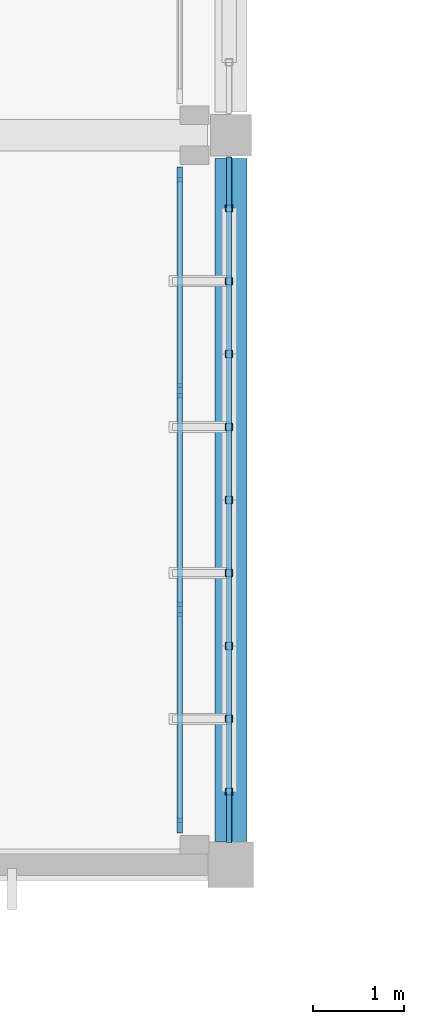
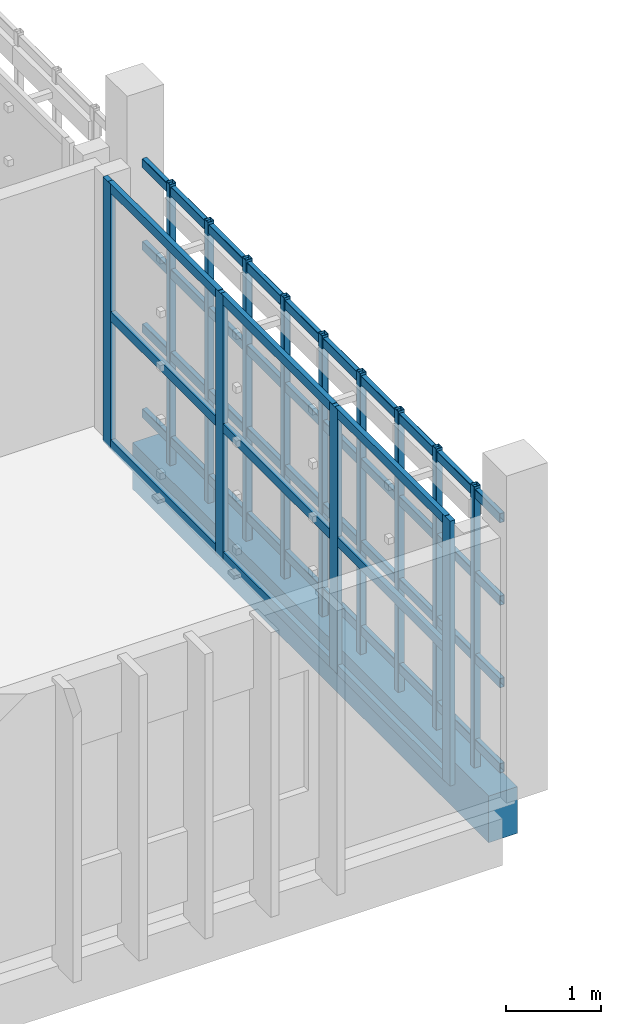
# One storey, part 8 of 48: 26 members, 1 beam, 1 element without a shape of its own.
"""IFC4 building model written with IfcOpenShell, lengths in metres."""

from ifc_helpers import new_model, si_unit, direction, frame, origin, origin_2d, place, context, subcontext, project, spatial, rectangle, hollow_rectangle, extrude, material, layer, layer_set, material_profile, profile_set, type_object, element, aggregate, save


model = new_model("IFC4")

# Units and contexts
model_context = context("Model", 3, precision=1e-05, world=origin(), true_north=direction((0.0, 1.0)))
body_context = subcontext(model_context, "Body", "Model", "MODEL_VIEW")
ifc_project = project(units=[si_unit("LENGTHUNIT", "METRE"), si_unit("AREAUNIT", "SQUARE_METRE"), si_unit("VOLUMEUNIT", "CUBIC_METRE"), si_unit("PLANEANGLEUNIT", "RADIAN"), si_unit("MASSUNIT", "GRAM", prefix="KILO")], contexts=[model_context])

# Site, building, storey
site_placement = place(None, origin())
site = spatial("IfcSite", under=ifc_project, at=site_placement, CompositionType="ELEMENT")
building_placement = place(site_placement, origin())
building = spatial("IfcBuilding", under=site, at=building_placement, Name="Jelvoka-Kovrelna Polytechnic", CompositionType="ELEMENT")
storey_placement = place(building_placement, frame((0.0, 0.0, 22.199951171875)))
storey = spatial("IfcBuildingStorey", under=building, at=storey_placement, Name="L06", CompositionType="ELEMENT", Elevation=22.199951171875)

# Beam
ifc_material_1 = material(Name="Concrete C35/45", Category="concrete")
ifc_material_profile_1 = material_profile(ifc_material_1, rectangle(XDim=0.35009765625, YDim=0.60009765625, at=origin_2d()), Name="RC 350x600")
ifc_profile_set_1 = profile_set([ifc_material_profile_1], Name="Concrete C35/45")
beam_type = type_object("IfcBeamType", Name="Beam_RC_350x600", PredefinedType="BEAM", material=ifc_profile_set_1)
beam_placement = place(storey_placement, frame((112.0, 32.2548828125, -0.5400390625), z_axis=(0.0, 1.0, 0.0), x_axis=(-1.0, 0.0, 0.0)))
element("IfcBeam", 1, at=beam_placement, inside=storey, type_object=beam_type, Name="L06 beam 1650", PredefinedType="BEAM", context=body_context, shape_type="SweptSolid", body=[
    extrude(rectangle(XDim=0.35009765625, YDim=0.60009765625, at=origin_2d()), origin(), (0.0, 0.0, 1.0), 7.490234375),
])

# Members
ifc_material_2 = material(Name="Structural steel S355J2H", Category="steel")
ifc_material_profile_2 = material_profile(ifc_material_2, hollow_rectangle(XDim=0.06005859375, YDim=0.1201171875, WallThickness=0.0048828125, InnerFilletRadius=0.0048828125, OuterFilletRadius=0.007568359375, at=origin_2d()), Name="120x60x5.0 RHS")
ifc_profile_set_2 = profile_set([ifc_material_profile_2], Name="Structural steel S355J2H")
member_type_1 = type_object("IfcMemberType", Name="Member_Strut_RHS120", PredefinedType="STRUT", material=ifc_profile_set_2)
for number, where, z_axis, x_axis, name in (
    (2, (111.97998046875, 32.239990234375, 0.080078125), (0.0, 1.0, 0.0), (-1.0, 0.0, 0.0), "L06 terracotta screen horizontal strut 0248"),
    (3, (111.97998046875, 32.239990234375, 1.17138671875), (0.0, 1.0, 0.0), (-1.0, 0.0, 0.0), "L06 terracotta screen horizontal strut 0249"),
    (4, (111.97998046875, 32.239990234375, 2.230712890625), (0.0, 1.0, 0.0), (-1.0, 0.0, 0.0), "L06 terracotta screen horizontal strut 0250"),
    (5, (111.97998046875, 32.239990234375, 3.2900390625), (0.0, 1.0, 0.0), (-1.0, 0.0, 0.0), "L06 terracotta screen horizontal strut 0251"),
):
    element("IfcMember", number, at=place(storey_placement, frame(where, z_axis=z_axis, x_axis=x_axis)), inside=storey, type_object=member_type_1, Name=name, PredefinedType="STRUT", context=body_context, shape_type="SweptSolid", body=[
        extrude(hollow_rectangle(XDim=0.06005859375, YDim=0.1201171875, WallThickness=0.0048828125, InnerFilletRadius=0.0048828125, OuterFilletRadius=0.007568359375, at=origin_2d()), origin(), (0.0, 0.0, 1.0), 7.52001953125),
    ])
ifc_material_3 = material(Name="Structural steel S355J2H", Category="steel")
ifc_material_profile_3 = material_profile(ifc_material_3, hollow_rectangle(XDim=0.080078125, YDim=0.080078125, WallThickness=0.0048828125, InnerFilletRadius=0.0048828125, OuterFilletRadius=0.007568359375, at=origin_2d()), Name="80x80x5.0 SHS")
ifc_profile_set_3 = profile_set([ifc_material_profile_3], Name="Structural steel S355J2H")
member_type_2 = type_object("IfcMemberType", Name="Member_Strut_SHS80", PredefinedType="STRUT", material=ifc_profile_set_3)
for number, where, z_axis, x_axis, name in (
    (6, (111.97998046875, 32.800048828125, -0.22998046875), (0.0, 0.0, 1.0), (1.0, 0.0, 0.0), "L06 terracotta lattice vertical rib 0252"),
    (7, (111.97998046875, 33.60009765625, -0.22998046875), (0.0, 0.0, 1.0), (1.0, 0.0, 0.0), "L06 terracotta lattice vertical rib 0253"),
    (8, (111.97998046875, 34.39990234375, -0.22998046875), (0.0, 0.0, 1.0), (1.0, 0.0, 0.0), "L06 terracotta lattice vertical rib 0254"),
    (9, (111.97998046875, 35.199951171875, -0.22998046875), (0.0, 0.0, 1.0), (1.0, 0.0, 0.0), "L06 terracotta lattice vertical rib 0255"),
    (10, (111.97998046875, 36.0, -0.22998046875), (0.0, 0.0, 1.0), (1.0, 0.0, 0.0), "L06 terracotta lattice vertical rib 0256"),
    (11, (111.97998046875, 36.800048828125, -0.22998046875), (0.0, 0.0, 1.0), (1.0, 0.0, 0.0), "L06 terracotta lattice vertical rib 0257"),
    (12, (111.97998046875, 37.60009765625, -0.22998046875), (0.0, 0.0, 1.0), (1.0, 0.0, 0.0), "L06 terracotta lattice vertical rib 0258"),
    (13, (111.97998046875, 38.39990234375, -0.22998046875), (0.0, 0.0, 1.0), (1.0, 0.0, 0.0), "L06 terracotta lattice vertical rib 0259"),
    (14, (111.97998046875, 39.199951171875, -0.22998046875), (0.0, 0.0, 1.0), (1.0, 0.0, 0.0), "L06 terracotta lattice vertical rib 0260"),
):
    element("IfcMember", number, at=place(storey_placement, frame(where, z_axis=z_axis, x_axis=x_axis)), inside=storey, type_object=member_type_2, Name=name, PredefinedType="STRUT", context=body_context, shape_type="SweptSolid", body=[
        extrude(hollow_rectangle(XDim=0.080078125, YDim=0.080078125, WallThickness=0.0048828125, InnerFilletRadius=0.0048828125, OuterFilletRadius=0.007568359375, at=origin_2d()), origin(), (0.0, 0.0, 1.0), 3.610107421875),
    ])

# Curtain wall, members
ifc_material_4 = material(Name="Anodised aluminium 6063-T6", Category="aluminium")
ifc_layer = layer(ifc_material_4, 0.159912109375)
ifc_layer_set = layer_set([ifc_layer], Name="Anodised aluminium 6063-T6")
curtain_wall_type = type_object("IfcCurtainWallType", Name="CW_Recessed_A", PredefinedType="NOTDEFINED", material=ifc_layer_set)
curtain_wall_placement = place(storey_placement, origin())
curtain_wall = element("IfcCurtainWall", 15, at=curtain_wall_placement, inside=storey, type_object=curtain_wall_type, Name="L06 glazed curtain wall 036", PredefinedType="NOTDEFINED")
ifc_material_5 = material(Name="Anodised aluminium 6063-T6", Category="aluminium")
ifc_material_profile_4 = material_profile(ifc_material_5, rectangle(XDim=0.06005859375, YDim=0.159912109375, at=origin_2d()), Name="ALU 60x160")
ifc_profile_set_4 = profile_set([ifc_material_profile_4], Name="Anodised aluminium 6063-T6")
member_type_3 = type_object("IfcMemberType", Name="Mullion_M-01", PredefinedType="MULLION", material=ifc_profile_set_4)
member_1_placement = place(storey_placement, frame((111.43994140625, 39.570068359375, -0.02490234375), z_axis=(0.0, 0.0, 1.0), x_axis=(1.0, 0.0, 0.0)))
member_1 = element("IfcMember", 16, at=member_1_placement, type_object=member_type_3, Name="CW-01 mullion 1", PredefinedType="MULLION", context=body_context, shape_type="SweptSolid", body=[
    extrude(rectangle(XDim=0.06005859375, YDim=0.159912109375, at=origin_2d()), origin(), (0.0, 0.0, 1.0), 3.400146484375),
])
member_2_placement = place(storey_placement, frame((111.43994140625, 37.199951171875, -0.02490234375), z_axis=(0.0, 0.0, 1.0), x_axis=(1.0, 0.0, 0.0)))
member_2 = element("IfcMember", 17, at=member_2_placement, type_object=member_type_3, Name="CW-01 mullion 2", PredefinedType="MULLION", context=body_context, shape_type="SweptSolid", body=[
    extrude(rectangle(XDim=0.06005859375, YDim=0.159912109375, at=origin_2d()), origin(), (0.0, 0.0, 1.0), 3.400146484375),
])
member_3_placement = place(storey_placement, frame((111.43994140625, 34.800048828125, -0.02490234375), z_axis=(0.0, 0.0, 1.0), x_axis=(1.0, 0.0, 0.0)))
member_3 = element("IfcMember", 18, at=member_3_placement, type_object=member_type_3, Name="CW-01 mullion 3", PredefinedType="MULLION", context=body_context, shape_type="SweptSolid", body=[
    extrude(rectangle(XDim=0.06005859375, YDim=0.159912109375, at=origin_2d()), origin(), (0.0, 0.0, 1.0), 3.400146484375),
])
member_4_placement = place(storey_placement, frame((111.43994140625, 32.429931640625, -0.02490234375), z_axis=(0.0, 0.0, 1.0), x_axis=(1.0, 0.0, 0.0)))
member_4 = element("IfcMember", 19, at=member_4_placement, type_object=member_type_3, Name="CW-01 mullion 4", PredefinedType="MULLION", context=body_context, shape_type="SweptSolid", body=[
    extrude(rectangle(XDim=0.06005859375, YDim=0.159912109375, at=origin_2d()), origin(), (0.0, 0.0, 1.0), 3.400146484375),
])
ifc_material_6 = material(Name="Anodised aluminium 6063-T6", Category="aluminium")
ifc_material_profile_5 = material_profile(ifc_material_6, rectangle(XDim=0.06005859375, YDim=0.1201171875, at=origin_2d()), Name="ALU 60x120")
ifc_profile_set_5 = profile_set([ifc_material_profile_5], Name="Anodised aluminium 6063-T6")
member_type_4 = type_object("IfcMemberType", Name="Transom_T-01", PredefinedType="USERDEFINED", material=ifc_profile_set_5)
member_5_placement = place(storey_placement, frame((111.43994140625, 39.5400390625, 0.030029296875), z_axis=(0.0, -1.0, 0.0), x_axis=(1.0, 0.0, 0.0)))
member_5 = element("IfcMember", 20, at=member_5_placement, type_object=member_type_4, Name="CW-01 transom 1.1", ObjectType="TRANSOM", PredefinedType="USERDEFINED", context=body_context, shape_type="SweptSolid", body=[
    extrude(rectangle(XDim=0.06005859375, YDim=0.1201171875, at=origin_2d()), origin(), (0.0, 0.0, 1.0), 2.31005859375),
])
member_6_placement = place(storey_placement, frame((111.43994140625, 39.5400390625, 1.675048828125), z_axis=(0.0, -1.0, 0.0), x_axis=(1.0, 0.0, 0.0)))
member_6 = element("IfcMember", 21, at=member_6_placement, type_object=member_type_4, Name="CW-01 transom 1.2", ObjectType="TRANSOM", PredefinedType="USERDEFINED", context=body_context, shape_type="SweptSolid", body=[
    extrude(rectangle(XDim=0.06005859375, YDim=0.1201171875, at=origin_2d()), origin(), (0.0, 0.0, 1.0), 2.31005859375),
])
member_7_placement = place(storey_placement, frame((111.43994140625, 39.5400390625, 3.320068359375), z_axis=(0.0, -1.0, 0.0), x_axis=(1.0, 0.0, 0.0)))
member_7 = element("IfcMember", 22, at=member_7_placement, type_object=member_type_4, Name="CW-01 transom 1.3", ObjectType="TRANSOM", PredefinedType="USERDEFINED", context=body_context, shape_type="SweptSolid", body=[
    extrude(rectangle(XDim=0.06005859375, YDim=0.1201171875, at=origin_2d()), origin(), (0.0, 0.0, 1.0), 2.31005859375),
])
member_8_placement = place(storey_placement, frame((111.43994140625, 37.169921875, 0.030029296875), z_axis=(0.0, -1.0, 0.0), x_axis=(1.0, 0.0, 0.0)))
member_8 = element("IfcMember", 23, at=member_8_placement, type_object=member_type_4, Name="CW-01 transom 2.1", ObjectType="TRANSOM", PredefinedType="USERDEFINED", context=body_context, shape_type="SweptSolid", body=[
    extrude(rectangle(XDim=0.06005859375, YDim=0.1201171875, at=origin_2d()), origin(), (0.0, 0.0, 1.0), 2.33984375),
])
member_9_placement = place(storey_placement, frame((111.43994140625, 37.169921875, 1.675048828125), z_axis=(0.0, -1.0, 0.0), x_axis=(1.0, 0.0, 0.0)))
member_9 = element("IfcMember", 24, at=member_9_placement, type_object=member_type_4, Name="CW-01 transom 2.2", ObjectType="TRANSOM", PredefinedType="USERDEFINED", context=body_context, shape_type="SweptSolid", body=[
    extrude(rectangle(XDim=0.06005859375, YDim=0.1201171875, at=origin_2d()), origin(), (0.0, 0.0, 1.0), 2.33984375),
])
member_10_placement = place(storey_placement, frame((111.43994140625, 37.169921875, 3.320068359375), z_axis=(0.0, -1.0, 0.0), x_axis=(1.0, 0.0, 0.0)))
member_10 = element("IfcMember", 25, at=member_10_placement, type_object=member_type_4, Name="CW-01 transom 2.3", ObjectType="TRANSOM", PredefinedType="USERDEFINED", context=body_context, shape_type="SweptSolid", body=[
    extrude(rectangle(XDim=0.06005859375, YDim=0.1201171875, at=origin_2d()), origin(), (0.0, 0.0, 1.0), 2.33984375),
])
member_11_placement = place(storey_placement, frame((111.43994140625, 34.77001953125, 0.030029296875), z_axis=(0.0, -1.0, 0.0), x_axis=(1.0, 0.0, 0.0)))
member_11 = element("IfcMember", 26, at=member_11_placement, type_object=member_type_4, Name="CW-01 transom 3.1", ObjectType="TRANSOM", PredefinedType="USERDEFINED", context=body_context, shape_type="SweptSolid", body=[
    extrude(rectangle(XDim=0.06005859375, YDim=0.1201171875, at=origin_2d()), origin(), (0.0, 0.0, 1.0), 2.31005859375),
])
member_12_placement = place(storey_placement, frame((111.43994140625, 34.77001953125, 1.675048828125), z_axis=(0.0, -1.0, 0.0), x_axis=(1.0, 0.0, 0.0)))
member_12 = element("IfcMember", 27, at=member_12_placement, type_object=member_type_4, Name="CW-01 transom 3.2", ObjectType="TRANSOM", PredefinedType="USERDEFINED", context=body_context, shape_type="SweptSolid", body=[
    extrude(rectangle(XDim=0.06005859375, YDim=0.1201171875, at=origin_2d()), origin(), (0.0, 0.0, 1.0), 2.31005859375),
])
member_13_placement = place(storey_placement, frame((111.43994140625, 34.77001953125, 3.320068359375), z_axis=(0.0, -1.0, 0.0), x_axis=(1.0, 0.0, 0.0)))
member_13 = element("IfcMember", 28, at=member_13_placement, type_object=member_type_4, Name="CW-01 transom 3.3", ObjectType="TRANSOM", PredefinedType="USERDEFINED", context=body_context, shape_type="SweptSolid", body=[
    extrude(rectangle(XDim=0.06005859375, YDim=0.1201171875, at=origin_2d()), origin(), (0.0, 0.0, 1.0), 2.31005859375),
])
aggregate(curtain_wall, [member_1, member_2, member_3, member_4, member_5, member_6, member_7, member_8, member_9, member_10, member_11, member_12, member_13])

save(model, "model.ifc")
